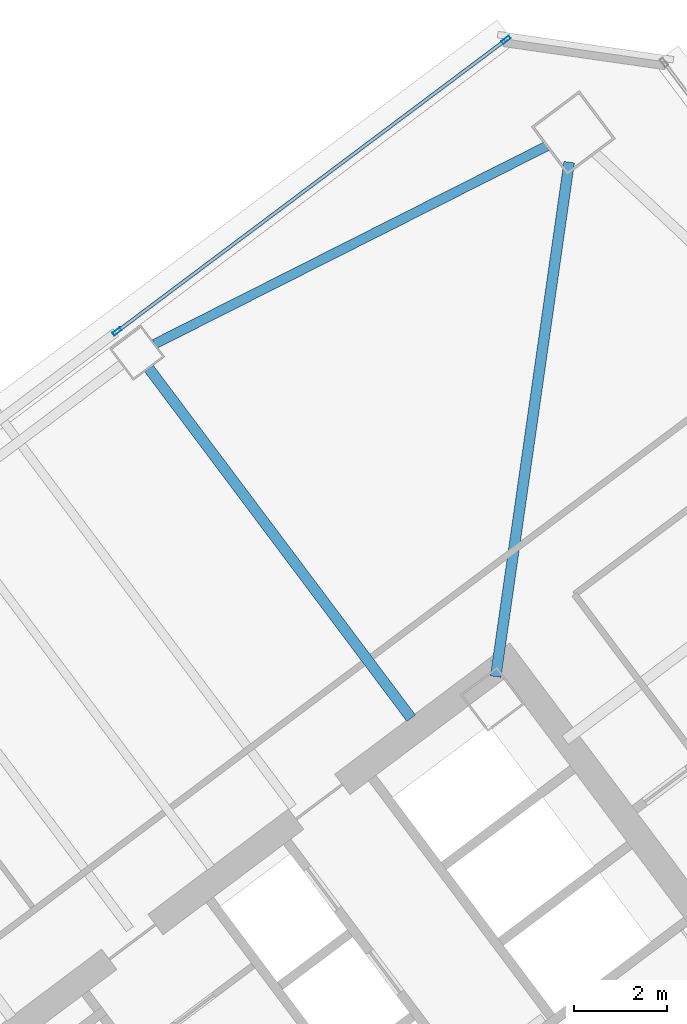
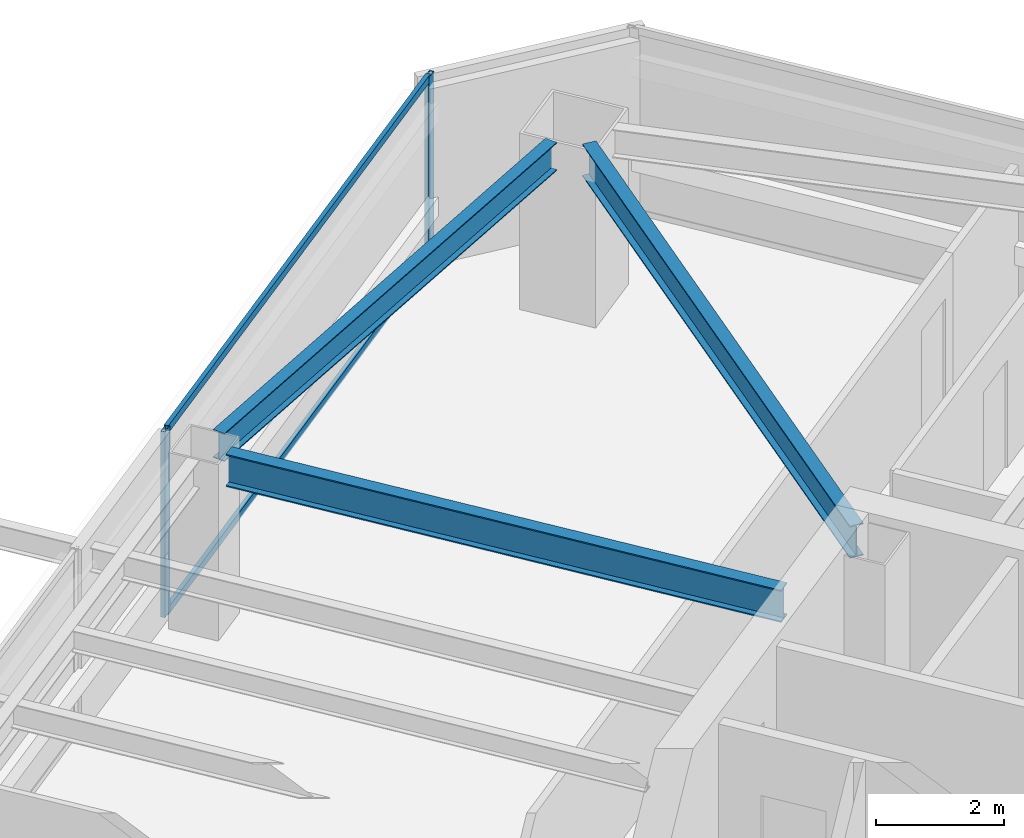
# One storey, part 28 of 42: 4 members, 3 beams, 1 element without a shape of its own.
"""IFC4 building model written with IfcOpenShell, lengths in metres."""

from ifc_helpers import new_model, si_unit, direction, frame, origin, origin_2d, place, context, subcontext, project, spatial, hollow_rectangle, i_section, extrude, material, material_profile, profile_set, type_object, element, aggregate, save


model = new_model("IFC4")

# Units and contexts
model_context = context("Model", 3, precision=1e-05, world=origin(), true_north=direction((0.0, 1.0)))
body_context = subcontext(model_context, "Body", "Model", "MODEL_VIEW")
ifc_project = project(units=[si_unit("LENGTHUNIT", "METRE"), si_unit("AREAUNIT", "SQUARE_METRE"), si_unit("VOLUMEUNIT", "CUBIC_METRE"), si_unit("PLANEANGLEUNIT", "RADIAN"), si_unit("MASSUNIT", "GRAM", prefix="KILO")], contexts=[model_context])

# Site, building, storey
site_placement = place(None, origin())
site = spatial("IfcSite", under=ifc_project, at=site_placement, CompositionType="ELEMENT")
building_placement = place(site_placement, origin())
building = spatial("IfcBuilding", under=site, at=building_placement, Name="Tashvorn Skyway Center", CompositionType="ELEMENT")
storey_placement = place(building_placement, frame((0.0, 0.0, 121.5)))
storey = spatial("IfcBuildingStorey", under=building, at=storey_placement, Name="L32", CompositionType="ELEMENT", Elevation=121.5)

# Beams
ifc_material_1 = material(Name="Steel ASTM A992 Grade 50", Category="steel")
ifc_material_profile_1 = material_profile(ifc_material_1, i_section(OverallWidth=0.22998046875, OverallDepth=0.616943359375, WebThickness=0.01318359375, FlangeThickness=0.022216796875, at=origin_2d()), Name="W24X94")
ifc_profile_set_1 = profile_set([ifc_material_profile_1], Name="Steel ASTM A992 Grade 50")
beam_type_1 = type_object("IfcBeamType", Name="BM-BEAM-W24X94", PredefinedType="BEAM", material=ifc_profile_set_1)
beam_1_placement = place(storey_placement, frame((117.06884765625, 53.4814453125, 3.0615234375), z_axis=(-0.141430483583, -0.989948189712, 0.0), x_axis=(0.989948189712, -0.141430483583, 0.0)))
element("IfcBeam", 1, at=beam_1_placement, inside=storey, type_object=beam_type_1, Name="Tower 2 L32 Primary Floor Girder MC-NE", PredefinedType="BEAM", context=body_context, shape_type="SweptSolid", body=[
    extrude(i_section(OverallWidth=0.22998046875, OverallDepth=0.616943359375, WebThickness=0.01318359375, FlangeThickness=0.022216796875, at=origin_2d()), origin(), (0.0, 0.0, 1.0), 11.234375),
])
beam_2_placement = place(storey_placement, frame((107.98193359375, 49.02392578125, 3.0615234375), z_axis=(0.600020667896, -0.799984498661, 0.0), x_axis=(0.799984498661, 0.600020667896, 0.0)))
element("IfcBeam", 2, at=beam_2_placement, inside=storey, type_object=beam_type_1, Name="Tower 2 L32 Primary Floor Girder FC-N1", PredefinedType="BEAM", context=body_context, shape_type="SweptSolid", body=[
    extrude(i_section(OverallWidth=0.22998046875, OverallDepth=0.616943359375, WebThickness=0.01318359375, FlangeThickness=0.022216796875, at=origin_2d()), origin(), (0.0, 0.0, 1.0), 9.449951171875),
])
ifc_material_profile_2 = material_profile(ifc_material_1, i_section(OverallWidth=0.2109375, OverallDepth=0.5390625, WebThickness=0.01171875, FlangeThickness=0.018798828125, at=origin_2d()), Name="W21X73")
ifc_profile_set_2 = profile_set([ifc_material_profile_2], Name="Steel ASTM A992 Grade 50")
beam_type_2 = type_object("IfcBeamType", Name="BM-SPANDREL-W21X73", PredefinedType="SPANDREL", material=ifc_profile_set_2)
beam_3_placement = place(storey_placement, frame((116.584228515625, 53.829345703125, 3.1005859375), z_axis=(-0.892719124217, -0.450613543136, 0.0), x_axis=(0.450613543136, -0.892719124217, 0.0)))
element("IfcBeam", 3, at=beam_3_placement, inside=storey, type_object=beam_type_2, Name="Tower 2 L32 Spandrel Beam 07", PredefinedType="SPANDREL", context=body_context, shape_type="SweptSolid", body=[
    extrude(i_section(OverallWidth=0.2109375, OverallDepth=0.5390625, WebThickness=0.01171875, FlangeThickness=0.018798828125, at=origin_2d()), origin(), (0.0, 0.0, 1.0), 9.498291015625),
])

# Curtain wall, members
ifc_material_2 = material(Name="Thermally broken bronze-anodized aluminium 6063-T6", Category="aluminium")
curtain_wall_type = type_object("IfcCurtainWallType", Name="CW-CW-Z3", PredefinedType="NOTDEFINED", material=ifc_material_2)
curtain_wall_placement = place(storey_placement, origin())
curtain_wall = element("IfcCurtainWall", 4, at=curtain_wall_placement, inside=storey, type_object=curtain_wall_type, Name="Tower 2 L32 North Unitised Curtain Wall Glazing Group 3", PredefinedType="NOTDEFINED")
ifc_material_profile_3 = material_profile(ifc_material_2, hollow_rectangle(XDim=0.074951171875, YDim=0.199951171875, WallThickness=0.00439453125, at=origin_2d()), Name="ALU-MULL-75x200")
ifc_profile_set_3 = profile_set([ifc_material_profile_3], Name="Thermally broken bronze-anodized aluminium 6063-T6")
member_type_1 = type_object("IfcMemberType", Name="CWM-CW-Z3", PredefinedType="MULLION", material=ifc_profile_set_3)
member_1_placement = place(storey_placement, frame((107.296630859375, 49.822509765625, 0.0), z_axis=(0.0, 0.0, 1.0), x_axis=(-0.600001511345, 0.799998866489, 0.0)))
member_1 = element("IfcMember", 5, at=member_1_placement, type_object=member_type_1, Name="CW-Z3 mullion 1", PredefinedType="MULLION", context=body_context, shape_type="SweptSolid", body=[
    extrude(hollow_rectangle(XDim=0.074951171875, YDim=0.199951171875, WallThickness=0.00439453125, at=origin_2d()), origin(), (0.0, 0.0, 1.0), 3.550048828125),
])
member_2_placement = place(storey_placement, frame((115.7060546875, 56.12939453125, 0.0), z_axis=(0.0, 0.0, 1.0), x_axis=(-0.600001511345, 0.799998866489, 0.0)))
member_2 = element("IfcMember", 6, at=member_2_placement, type_object=member_type_1, Name="CW-Z3 mullion 2", PredefinedType="MULLION", context=body_context, shape_type="SweptSolid", body=[
    extrude(hollow_rectangle(XDim=0.074951171875, YDim=0.199951171875, WallThickness=0.00439453125, at=origin_2d()), origin(), (0.0, 0.0, 1.0), 3.550048828125),
])
ifc_material_profile_4 = material_profile(ifc_material_2, hollow_rectangle(XDim=0.074951171875, YDim=0.139892578125, WallThickness=0.004150390625, at=origin_2d()), Name="ALU-TRAN-75x140")
ifc_profile_set_4 = profile_set([ifc_material_profile_4], Name="Thermally broken bronze-anodized aluminium 6063-T6")
member_type_2 = type_object("IfcMemberType", Name="CWT-CW-Z3", PredefinedType="USERDEFINED", material=ifc_profile_set_4)
member_3_placement = place(storey_placement, frame((107.32666015625, 49.844970703125, 0.03759765625), z_axis=(0.800002807101, 0.599996257181, 0.0), x_axis=(-0.599996257181, 0.800002807101, 0.0)))
member_3 = element("IfcMember", 7, at=member_3_placement, type_object=member_type_2, Name="CW-Z3 transom 1.1", ObjectType="TRANSOM", PredefinedType="USERDEFINED", context=body_context, shape_type="SweptSolid", body=[
    extrude(hollow_rectangle(XDim=0.074951171875, YDim=0.139892578125, WallThickness=0.004150390625, at=origin_2d()), origin(), (0.0, 0.0, 1.0), 10.436767578125),
])
member_4_placement = place(storey_placement, frame((107.32666015625, 49.844970703125, 3.512451171875), z_axis=(0.800002807101, 0.599996257181, 0.0), x_axis=(-0.599996257181, 0.800002807101, 0.0)))
member_4 = element("IfcMember", 8, at=member_4_placement, type_object=member_type_2, Name="CW-Z3 transom 1.2", ObjectType="TRANSOM", PredefinedType="USERDEFINED", context=body_context, shape_type="SweptSolid", body=[
    extrude(hollow_rectangle(XDim=0.074951171875, YDim=0.139892578125, WallThickness=0.004150390625, at=origin_2d()), origin(), (0.0, 0.0, 1.0), 10.436767578125),
])
aggregate(curtain_wall, [member_1, member_2, member_3, member_4])

save(model, "model.ifc")
